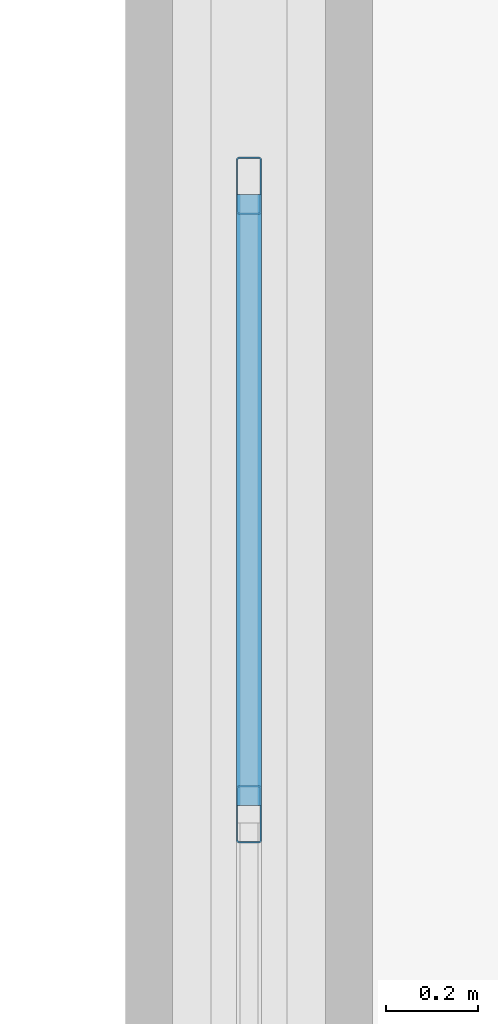
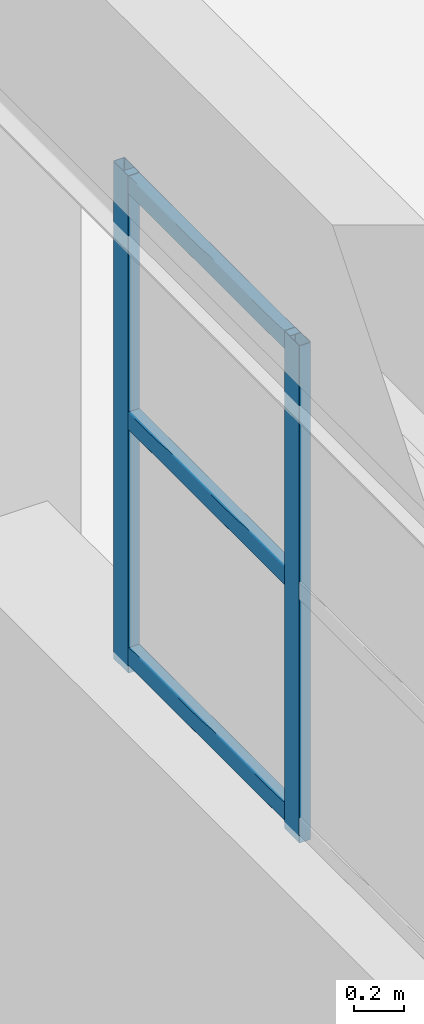
# One storey, part 45 of 97: 5 members, 1 element without a shape of its own.
"""IFC4 building model written with IfcOpenShell, lengths in metres."""

from ifc_helpers import new_model, si_unit, derived_unit, direction, frame, origin, origin_2d, place, context, subcontext, project, spatial, hollow_rectangle, extrude, material, layer, layer_set, material_profile, profile_set, type_object, element, aggregate, save


model = new_model("IFC4")

# Units and contexts
model_context = context("Model", 3, precision=1e-05, world=origin(), true_north=direction((0.0, 1.0)))
body_context = subcontext(model_context, "Body", "Model", "MODEL_VIEW")
ifc_project = project(units=[si_unit("LENGTHUNIT", "METRE"), si_unit("AREAUNIT", "SQUARE_METRE"), si_unit("VOLUMEUNIT", "CUBIC_METRE"), si_unit("PLANEANGLEUNIT", "RADIAN"), si_unit("MASSUNIT", "GRAM", prefix="KILO"), derived_unit("THERMALTRANSMITTANCEUNIT", [(si_unit("POWERUNIT", "WATT"), 1), (si_unit("LENGTHUNIT", "METRE"), -2), (si_unit("THERMODYNAMICTEMPERATUREUNIT", "KELVIN"), -1)])], contexts=[model_context])

# Site, building, storey
site_placement = place(None, origin())
site = spatial("IfcSite", under=ifc_project, at=site_placement, CompositionType="ELEMENT")
building_placement = place(site_placement, origin())
building = spatial("IfcBuilding", under=site, at=building_placement, Name="Almenara Railside Exhibition Hall", CompositionType="ELEMENT")
storey_placement = place(building_placement, frame((0.0, 0.0, 10.800048828125)))
storey = spatial("IfcBuildingStorey", under=building, at=storey_placement, Name="L02", CompositionType="ELEMENT", Elevation=10.800048828125)

# Curtain wall, members
ifc_material_1 = material(Name="Bronze-anodised aluminium and low-E double glazing", Category="aluminium")
ifc_layer = layer(ifc_material_1, 0.179931640625, Name="Bronze-anodised aluminium and low-E double glazing")
ifc_layer_set = layer_set([ifc_layer], Name="Bronze-anodised aluminium and low-E double glazing")
curtain_wall_type = type_object("IfcCurtainWallType", Name="West Hall Clerestory Curtain Wall 4200x2400", PredefinedType="NOTDEFINED", material=ifc_layer_set)
curtain_wall_placement = place(storey_placement, origin())
curtain_wall = element("IfcCurtainWall", 1, at=curtain_wall_placement, inside=storey, type_object=curtain_wall_type, Name="Curtain wall CW-CL1-018", PredefinedType="NOTDEFINED")
ifc_material_2 = material(Name="Bronze-anodised aluminium", Category="aluminium")
ifc_material_profile_1 = material_profile(ifc_material_2, hollow_rectangle(XDim=0.054931640625, YDim=0.125, WallThickness=0.0029296875, InnerFilletRadius=0.0029296875, OuterFilletRadius=0.006103515625, at=origin_2d()), Name="ALU-MUL 55x125x3")
ifc_profile_set_1 = profile_set([ifc_material_profile_1], Name="Bronze-anodised aluminium")
member_type_1 = type_object("IfcMemberType", Name="Curtain Wall Mullion 55x125x3", PredefinedType="MULLION", material=ifc_profile_set_1)
member_1_placement = place(storey_placement, frame((12.0, 105.10009765625, 4.56494140625), z_axis=(0.0, 0.0, 1.0), x_axis=(-1.0, 0.0, 0.0)))
member_1 = element("IfcMember", 2, at=member_1_placement, type_object=member_type_1, Name="CW-CL1-018 mullion 3", PredefinedType="MULLION", context=body_context, shape_type="SweptSolid", body=[
    extrude(hollow_rectangle(XDim=0.054931640625, YDim=0.125, WallThickness=0.0029296875, InnerFilletRadius=0.0029296875, OuterFilletRadius=0.006103515625, at=origin_2d()), origin(), (0.0, 0.0, 1.0), 2.43505859375),
])
member_2_placement = place(storey_placement, frame((12.0, 106.472412109375, 4.56494140625), z_axis=(0.0, 0.0, 1.0), x_axis=(-1.0, 0.0, 0.0)))
member_2 = element("IfcMember", 3, at=member_2_placement, type_object=member_type_1, Name="CW-CL1-018 mullion 4", PredefinedType="MULLION", context=body_context, shape_type="SweptSolid", body=[
    extrude(hollow_rectangle(XDim=0.054931640625, YDim=0.125, WallThickness=0.0029296875, InnerFilletRadius=0.0029296875, OuterFilletRadius=0.006103515625, at=origin_2d()), origin(), (0.0, 0.0, 1.0), 2.43505859375),
])
ifc_material_profile_2 = material_profile(ifc_material_2, hollow_rectangle(XDim=0.054931640625, YDim=0.090087890625, WallThickness=0.0029296875, InnerFilletRadius=0.0029296875, OuterFilletRadius=0.006103515625, at=origin_2d()), Name="ALU-TRN 55x90x3")
ifc_profile_set_2 = profile_set([ifc_material_profile_2], Name="Bronze-anodised aluminium")
member_type_2 = type_object("IfcMemberType", Name="Curtain Wall Transom 55x90x3", PredefinedType="USERDEFINED", material=ifc_profile_set_2)
member_3_placement = place(storey_placement, frame((12.0, 105.119384765625, 4.64501953125), z_axis=(0.0, 1.0, 0.0), x_axis=(-1.0, 0.0, 0.0)))
member_3 = element("IfcMember", 4, at=member_3_placement, type_object=member_type_2, Name="CW-CL1-018 transom 3.1", ObjectType="TRANSOM", PredefinedType="USERDEFINED", context=body_context, shape_type="SweptSolid", body=[
    extrude(hollow_rectangle(XDim=0.054931640625, YDim=0.090087890625, WallThickness=0.0029296875, InnerFilletRadius=0.0029296875, OuterFilletRadius=0.006103515625, at=origin_2d()), origin(), (0.0, 0.0, 1.0), 1.33349609375),
])
member_4_placement = place(storey_placement, frame((12.0, 105.119384765625, 5.800048828125), z_axis=(0.0, 1.0, 0.0), x_axis=(-1.0, 0.0, 0.0)))
member_4 = element("IfcMember", 5, at=member_4_placement, type_object=member_type_2, Name="CW-CL1-018 transom 3.2", ObjectType="TRANSOM", PredefinedType="USERDEFINED", context=body_context, shape_type="SweptSolid", body=[
    extrude(hollow_rectangle(XDim=0.054931640625, YDim=0.090087890625, WallThickness=0.0029296875, InnerFilletRadius=0.0029296875, OuterFilletRadius=0.006103515625, at=origin_2d()), origin(), (0.0, 0.0, 1.0), 1.33349609375),
])
member_5_placement = place(storey_placement, frame((12.0, 105.119384765625, 6.954833984375), z_axis=(0.0, 1.0, 0.0), x_axis=(-1.0, 0.0, 0.0)))
member_5 = element("IfcMember", 6, at=member_5_placement, type_object=member_type_2, Name="CW-CL1-018 transom 3.3", ObjectType="TRANSOM", PredefinedType="USERDEFINED", context=body_context, shape_type="SweptSolid", body=[
    extrude(hollow_rectangle(XDim=0.054931640625, YDim=0.090087890625, WallThickness=0.0029296875, InnerFilletRadius=0.0029296875, OuterFilletRadius=0.006103515625, at=origin_2d()), origin(), (0.0, 0.0, 1.0), 1.33349609375),
])
aggregate(curtain_wall, [member_1, member_2, member_3, member_4, member_5])

save(model, "model.ifc")
